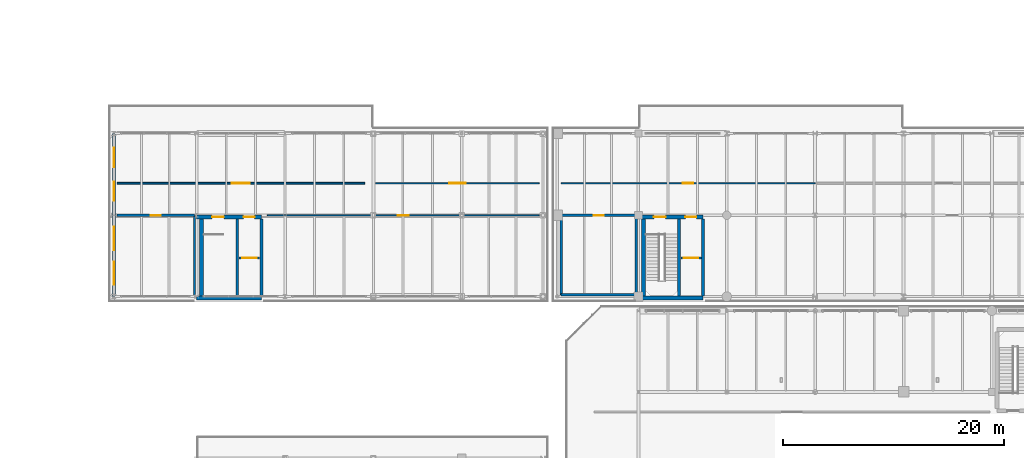
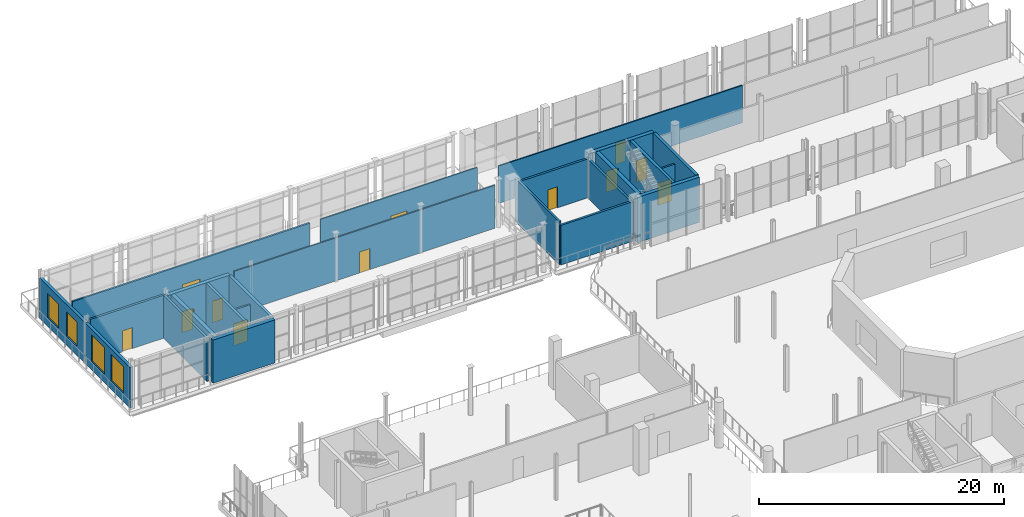
# One storey, part 72 of 93: 24 walls, 12 doors, 4 windows, 16 openings.
"""IFC4 building model written with IfcOpenShell, lengths in metres."""

from ifc_helpers import new_model, si_unit, direction, frame, frame_2d, origin, place, context, subcontext, project, spatial, rectangle, extrude, material, layer, layer_set, type_object, element, fill, save


model = new_model("IFC4")

# Units and contexts
model_context = context("Model", 3, precision=1e-05, world=origin(), true_north=direction((0.0, 1.0)))
body_context = subcontext(model_context, "Body", "Model", "MODEL_VIEW")
ifc_project = project(units=[si_unit("LENGTHUNIT", "METRE"), si_unit("AREAUNIT", "SQUARE_METRE"), si_unit("VOLUMEUNIT", "CUBIC_METRE"), si_unit("PLANEANGLEUNIT", "RADIAN"), si_unit("MASSUNIT", "GRAM", prefix="KILO")], contexts=[model_context])

# Site, building, storey
site_placement = place(None, origin())
site = spatial("IfcSite", under=ifc_project, at=site_placement, CompositionType="ELEMENT")
building_placement = place(site_placement, origin())
building = spatial("IfcBuilding", under=site, at=building_placement, Name="Brisemont Oceanarium", CompositionType="ELEMENT")
storey_placement = place(building_placement, frame((0.0, 0.0, 5.39990234375)))
storey = spatial("IfcBuildingStorey", under=building, at=storey_placement, Name="L01", CompositionType="ELEMENT", Elevation=5.39990234375)

# Wall, openings, windows
ifc_material_1 = material(Name="Beaux-Arts Limestone Cladding Precast Concrete C40/50", Category="masonry")
ifc_layer_1 = layer(ifc_material_1, 0.280029296875)
ifc_layer_set_1 = layer_set([ifc_layer_1], Name="Beaux-Arts Limestone Cladding Precast Concrete C40/50")
wall_type_1 = type_object("IfcWallType", Name="EW-LIME-280", PredefinedType="STANDARD", material=ifc_layer_set_1)
wall_1_placement = place(storey_placement, frame((16.5, 80.64990234375, 0.0), z_axis=(0.0, 0.0, 1.0), x_axis=(0.0, 1.0, 0.0)))
wall_1 = element("IfcWall", 1, at=wall_1_placement, inside=storey, type_object=wall_type_1, Name="Beaux-Arts exterior wall EW-V7W-W-L01-1", PredefinedType="STANDARD", context=body_context, shape_type="SweptSolid", body=[
    extrude(rectangle(XDim=7.35009765625, YDim=0.280029296875, at=frame_2d((3.675048828125, 0.0))), origin(), (0.0, 0.0, 1.0), 4.047119140625),
])
opening_1_placement = place(wall_1_placement, frame((1.050048828125, 0.0, 0.85009765625)))
opening_1 = element("IfcOpeningElement", 2, at=opening_1_placement, cuts=wall_1, Name="Opening WIN-17", PredefinedType="OPENING", context=body_context, shape_type="SweptSolid", body=[
    extrude(rectangle(XDim=2.10009765625, YDim=2.64990234375, at=frame_2d((1.050048828125, 1.324951171875))), frame((0.0, 0.14990234375, 0.0), z_axis=(0.0, -1.0, 0.0), x_axis=(1.0, 0.0, 0.0)), (0.0, 0.0, 1.0), 0.300048828125),
])
opening_2_placement = place(wall_1_placement, frame((4.199951171875, 0.0, 0.85009765625)))
opening_2 = element("IfcOpeningElement", 3, at=opening_2_placement, cuts=wall_1, Name="Opening WIN-17", PredefinedType="OPENING", context=body_context, shape_type="SweptSolid", body=[
    extrude(rectangle(XDim=2.10009765625, YDim=2.64990234375, at=frame_2d((1.050048828125, 1.324951171875))), frame((0.0, 0.14990234375, 0.0), z_axis=(0.0, -1.0, 0.0), x_axis=(1.0, 0.0, 0.0)), (0.0, 0.0, 1.0), 0.300048828125),
])
ifc_material_2 = material(Name="Insulated Low-E Laminated Glass", Category="glass")
window_type_1 = type_object("IfcWindowType", Name="WIN-BA-2100X2650", PartitioningType="SINGLE_PANEL", PredefinedType="WINDOW", material=ifc_material_2)
window_1_placement = place(opening_1_placement, origin())
window_1 = element("IfcWindow", 4, at=window_1_placement, inside=storey, type_object=window_type_1, Name="WIN-17 facade window 98", OverallHeight=2.64990234375, OverallWidth=2.10009765625, PartitioningType="SINGLE_PANEL", PredefinedType="WINDOW", context=body_context, shape_type="SweptSolid", body=[
    extrude(rectangle(XDim=2.10009765625, YDim=2.64990234375, at=frame_2d((1.050048828125, 1.324951171875))), frame((0.0, 0.030029296875, 0.0), z_axis=(0.0, -1.0, 0.0), x_axis=(1.0, 0.0, 0.0)), (0.0, 0.0, 1.0), 0.06005859375),
])
fill(opening_1, window_1)
window_2_placement = place(opening_2_placement, origin())
window_2 = element("IfcWindow", 5, at=window_2_placement, inside=storey, type_object=window_type_1, Name="WIN-17 facade window 99", OverallHeight=2.64990234375, OverallWidth=2.10009765625, PartitioningType="SINGLE_PANEL", PredefinedType="WINDOW", context=body_context, shape_type="SweptSolid", body=[
    extrude(rectangle(XDim=2.10009765625, YDim=2.64990234375, at=frame_2d((1.050048828125, 1.324951171875))), frame((0.0, 0.030029296875, 0.0), z_axis=(0.0, -1.0, 0.0), x_axis=(1.0, 0.0, 0.0)), (0.0, 0.0, 1.0), 0.06005859375),
])
fill(opening_2, window_2)

wall_2_placement = place(storey_placement, frame((16.5, 88.0, 0.0), z_axis=(0.0, 0.0, 1.0), x_axis=(0.0, 1.0, 0.0)))
wall_2 = element("IfcWall", 6, at=wall_2_placement, inside=storey, type_object=wall_type_1, Name="Beaux-Arts exterior wall EW-V7W-W-L01-2", PredefinedType="STANDARD", context=body_context, shape_type="SweptSolid", body=[
    extrude(rectangle(XDim=7.39990234375, YDim=0.280029296875, at=frame_2d((3.699951171875, 0.0))), origin(), (0.0, 0.0, 1.0), 4.047119140625),
])
opening_3_placement = place(wall_2_placement, frame((1.300048828125, 0.0, 0.89990234375)))
opening_3 = element("IfcOpeningElement", 7, at=opening_3_placement, cuts=wall_2, Name="Opening WIN-19", PredefinedType="OPENING", context=body_context, shape_type="SweptSolid", body=[
    extrude(rectangle(XDim=1.75, YDim=2.39990234375, at=frame_2d((0.875, 1.199951171875))), frame((0.0, 0.14990234375, 0.0), z_axis=(0.0, -1.0, 0.0), x_axis=(1.0, 0.0, 0.0)), (0.0, 0.0, 1.0), 0.300048828125),
])
opening_4_placement = place(wall_2_placement, frame((4.35009765625, 0.0, 0.89990234375)))
opening_4 = element("IfcOpeningElement", 8, at=opening_4_placement, cuts=wall_2, Name="Opening WIN-19", PredefinedType="OPENING", context=body_context, shape_type="SweptSolid", body=[
    extrude(rectangle(XDim=1.75, YDim=2.39990234375, at=frame_2d((0.875, 1.199951171875))), frame((0.0, 0.14990234375, 0.0), z_axis=(0.0, -1.0, 0.0), x_axis=(1.0, 0.0, 0.0)), (0.0, 0.0, 1.0), 0.300048828125),
])
ifc_material_3 = material(Name="Insulated Low-E Laminated Glass", Category="glass")
window_type_2 = type_object("IfcWindowType", Name="WIN-BA-1750X2400", PartitioningType="SINGLE_PANEL", PredefinedType="WINDOW", material=ifc_material_3)
window_3_placement = place(opening_3_placement, origin())
window_3 = element("IfcWindow", 9, at=window_3_placement, inside=storey, type_object=window_type_2, Name="WIN-19 facade window 100", OverallHeight=2.39990234375, OverallWidth=1.75, PartitioningType="SINGLE_PANEL", PredefinedType="WINDOW", context=body_context, shape_type="SweptSolid", body=[
    extrude(rectangle(XDim=1.75, YDim=2.39990234375, at=frame_2d((0.875, 1.199951171875))), frame((0.0, 0.030029296875, 0.0), z_axis=(0.0, -1.0, 0.0), x_axis=(1.0, 0.0, 0.0)), (0.0, 0.0, 1.0), 0.06005859375),
])
fill(opening_3, window_3)
window_4_placement = place(opening_4_placement, origin())
window_4 = element("IfcWindow", 10, at=window_4_placement, inside=storey, type_object=window_type_2, Name="WIN-19 facade window 101", OverallHeight=2.39990234375, OverallWidth=1.75, PartitioningType="SINGLE_PANEL", PredefinedType="WINDOW", context=body_context, shape_type="SweptSolid", body=[
    extrude(rectangle(XDim=1.75, YDim=2.39990234375, at=frame_2d((0.875, 1.199951171875))), frame((0.0, 0.030029296875, 0.0), z_axis=(0.0, -1.0, 0.0), x_axis=(1.0, 0.0, 0.0)), (0.0, 0.0, 1.0), 0.06005859375),
])
fill(opening_4, window_4)

# Wall, opening, door
ifc_material_4 = material(Name="Moisture-Resistant Gypsum Steel-Stud Partition", Category="steel")
ifc_layer_2 = layer(ifc_material_4, 0.159912109375)
ifc_layer_set_2 = layer_set([ifc_layer_2], Name="Moisture-Resistant Gypsum Steel-Stud Partition")
wall_type_2 = type_object("IfcWallType", Name="IW-FB-160", PredefinedType="PARTITIONING", material=ifc_layer_set_2)
wall_3_placement = place(storey_placement, frame((67.85009765625, 84.1298828125, 0.0), z_axis=(0.0, 0.0, 1.0), x_axis=(1.0, 0.0, 0.0)))
wall_3 = element("IfcWall", 11, at=wall_3_placement, inside=storey, type_object=wall_type_2, Name="Core C8 L01 lift hoistway front wall", PredefinedType="PARTITIONING", context=body_context, shape_type="SweptSolid", body=[
    extrude(rectangle(XDim=1.83984375, YDim=0.159912109375, at=frame_2d((0.919921875, 0.0))), origin(), (0.0, 0.0, 1.0), 3.60009765625),
])
opening_5_placement = place(wall_3_placement, frame((0.27001953125, 0.0, 0.0)))
opening_5 = element("IfcOpeningElement", 12, at=opening_5_placement, cuts=wall_3, Name="Opening LD-02", PredefinedType="OPENING", context=body_context, shape_type="SweptSolid", body=[
    extrude(rectangle(XDim=1.300048828125, YDim=2.199951171875, at=frame_2d((0.64990234375, 1.10009765625))), frame((0.0, 0.08984375, 0.0), z_axis=(0.0, -1.0, 0.0), x_axis=(1.0, 0.0, 0.0)), (0.0, 0.0, 1.0), 0.179931640625),
])
ifc_material_5 = material(Name="Duplex Stainless Steel EN 1.4462", Category="steel")
door_type_1 = type_object("IfcDoorType", Name="DR-LIFT-1300X2200", OperationType="NOTDEFINED", PredefinedType="DOOR", material=ifc_material_5)
door_1_placement = place(opening_5_placement, origin())
door_1 = element("IfcDoor", 13, at=door_1_placement, inside=storey, type_object=door_type_1, Name="Lift landing door L-08 L01", OperationType="SLIDING_TO_LEFT", OverallHeight=2.199951171875, OverallWidth=1.300048828125, PredefinedType="DOOR", context=body_context, shape_type="SweptSolid", body=[
    extrude(rectangle(XDim=1.300048828125, YDim=2.199951171875, at=frame_2d((0.64990234375, 1.10009765625))), frame((0.0, 0.02490234375, 0.0), z_axis=(0.0, -1.0, 0.0), x_axis=(1.0, 0.0, 0.0)), (0.0, 0.0, 1.0), 0.050048828125),
])
fill(opening_5, door_1)

wall_4_placement = place(storey_placement, frame((27.85009765625, 84.1298828125, 0.0), z_axis=(0.0, 0.0, 1.0), x_axis=(1.0, 0.0, 0.0)))
wall_4 = element("IfcWall", 14, at=wall_4_placement, inside=storey, type_object=wall_type_2, Name="Core C9 L01 lift hoistway front wall", PredefinedType="PARTITIONING", context=body_context, shape_type="SweptSolid", body=[
    extrude(rectangle(XDim=1.83984375, YDim=0.159912109375, at=frame_2d((0.919921875, 0.0))), origin(), (0.0, 0.0, 1.0), 3.60009765625),
])
opening_6_placement = place(wall_4_placement, frame((0.27001953125, 0.0, 0.0)))
opening_6 = element("IfcOpeningElement", 15, at=opening_6_placement, cuts=wall_4, Name="Opening LD-02", PredefinedType="OPENING", context=body_context, shape_type="SweptSolid", body=[
    extrude(rectangle(XDim=1.300048828125, YDim=2.199951171875, at=frame_2d((0.64990234375, 1.10009765625))), frame((0.0, 0.08984375, 0.0), z_axis=(0.0, -1.0, 0.0), x_axis=(1.0, 0.0, 0.0)), (0.0, 0.0, 1.0), 0.179931640625),
])
door_2_placement = place(opening_6_placement, origin())
door_2 = element("IfcDoor", 16, at=door_2_placement, inside=storey, type_object=door_type_1, Name="Lift landing door L-09 L01", OperationType="SLIDING_TO_LEFT", OverallHeight=2.199951171875, OverallWidth=1.300048828125, PredefinedType="DOOR", context=body_context, shape_type="SweptSolid", body=[
    extrude(rectangle(XDim=1.300048828125, YDim=2.199951171875, at=frame_2d((0.64990234375, 1.10009765625))), frame((0.0, 0.02490234375, 0.0), z_axis=(0.0, -1.0, 0.0), x_axis=(1.0, 0.0, 0.0)), (0.0, 0.0, 1.0), 0.050048828125),
])
fill(opening_6, door_2)

wall_5_placement = place(storey_placement, frame((16.800048828125, 90.89990234375, 0.0), z_axis=(0.0, 0.0, 1.0), x_axis=(1.0, 0.0, 0.0)))
wall_5 = element("IfcWall", 17, at=wall_5_placement, inside=storey, type_object=wall_type_2, Name="Quarantine Elasmobranch Holding Tank Room corridor partition", PredefinedType="PARTITIONING", context=body_context, shape_type="SweptSolid", body=[
    extrude(rectangle(XDim=22.39990234375, YDim=0.159912109375, at=frame_2d((11.199951171875, 0.0))), origin(), (0.0, 0.0, 1.0), 4.2900390625),
])
opening_7_placement = place(wall_5_placement, frame((10.375, 0.0, 0.0)))
opening_7 = element("IfcOpeningElement", 18, at=opening_7_placement, cuts=wall_5, Name="Opening GD-02", PredefinedType="OPENING", context=body_context, shape_type="SweptSolid", body=[
    extrude(rectangle(XDim=1.64990234375, YDim=2.35009765625, at=frame_2d((0.824951171875, 1.175048828125))), frame((0.0, 0.08984375, 0.0), z_axis=(0.0, -1.0, 0.0), x_axis=(1.0, 0.0, 0.0)), (0.0, 0.0, 1.0), 0.179931640625),
])
ifc_material_6 = material(Name="Patinated Architectural Bronze C38500")
door_type_2 = type_object("IfcDoorType", Name="DR-GAL-1650X2350", OperationType="NOTDEFINED", PredefinedType="DOOR", material=ifc_material_6)
door_3_placement = place(opening_7_placement, origin())
door_3 = element("IfcDoor", 19, at=door_3_placement, inside=storey, type_object=door_type_2, Name="GD-02 door to Quarantine Elasmobranch Holding Tank Room", OperationType="SINGLE_SWING_LEFT", OverallHeight=2.35009765625, OverallWidth=1.64990234375, PredefinedType="DOOR", context=body_context, shape_type="SweptSolid", body=[
    extrude(rectangle(XDim=1.64990234375, YDim=2.35009765625, at=frame_2d((0.824951171875, 1.175048828125))), frame((0.0, 0.02490234375, 0.0), z_axis=(0.0, -1.0, 0.0), x_axis=(1.0, 0.0, 0.0)), (0.0, 0.0, 1.0), 0.050048828125),
])
fill(opening_7, door_3)

ifc_material_7 = material(Name="Moisture-Resistant Gypsum Steel-Stud Partition", Category="steel")
ifc_layer_3 = layer(ifc_material_7, 0.1201171875)
ifc_layer_set_3 = layer_set([ifc_layer_3], Name="Moisture-Resistant Gypsum Steel-Stud Partition")
wall_type_3 = type_object("IfcWallType", Name="IW-PART-120", PredefinedType="PARTITIONING", material=ifc_layer_set_3)
wall_6_placement = place(storey_placement, frame((30.39990234375, 88.0, 0.0), z_axis=(0.0, 0.0, 1.0), x_axis=(1.0, 0.0, 0.0)))
wall_6 = element("IfcWall", 20, at=wall_6_placement, inside=storey, type_object=wall_type_3, Name="Quarantine Fish Acclimation Pool Hall corridor partition", PredefinedType="PARTITIONING", context=body_context, shape_type="SweptSolid", body=[
    extrude(rectangle(XDim=24.60009765625, YDim=0.1201171875, at=frame_2d((12.300048828125, 0.0))), origin(), (0.0, 0.0, 1.0), 4.2900390625),
])
opening_8_placement = place(wall_6_placement, frame((11.820068359375, 0.0, 0.0)))
opening_8 = element("IfcOpeningElement", 21, at=opening_8_placement, cuts=wall_6, Name="Opening D-02", PredefinedType="OPENING", context=body_context, shape_type="SweptSolid", body=[
    extrude(rectangle(XDim=0.9599609375, YDim=2.10009765625, at=frame_2d((0.47998046875, 1.050048828125))), frame((0.0, 0.070068359375, 0.0), z_axis=(0.0, -1.0, 0.0), x_axis=(1.0, 0.0, 0.0)), (0.0, 0.0, 1.0), 0.14013671875),
])
ifc_material_8 = material(Name="FSC White Oak Solid-Core Fire Door")
door_type_3 = type_object("IfcDoorType", Name="DR-RM-960X2100", OperationType="NOTDEFINED", PredefinedType="DOOR", material=ifc_material_8)
door_4_placement = place(opening_8_placement, origin())
door_4 = element("IfcDoor", 22, at=door_4_placement, inside=storey, type_object=door_type_3, Name="D-02 door to Quarantine Fish Acclimation Pool Hall", OperationType="SINGLE_SWING_LEFT", OverallHeight=2.10009765625, OverallWidth=0.9599609375, PredefinedType="DOOR", context=body_context, shape_type="SweptSolid", body=[
    extrude(rectangle(XDim=0.9599609375, YDim=2.10009765625, at=frame_2d((0.47998046875, 1.050048828125))), frame((0.0, 0.02490234375, 0.0), z_axis=(0.0, -1.0, 0.0), x_axis=(1.0, 0.0, 0.0)), (0.0, 0.0, 1.0), 0.050048828125),
])
fill(opening_8, door_4)

wall_7_placement = place(storey_placement, frame((40.199951171875, 90.89990234375, 0.0), z_axis=(0.0, 0.0, 1.0), x_axis=(1.0, 0.0, 0.0)))
wall_7 = element("IfcWall", 23, at=wall_7_placement, inside=storey, type_object=wall_type_3, Name="Quarantine Water Testing Lab corridor partition", PredefinedType="PARTITIONING", context=body_context, shape_type="SweptSolid", body=[
    extrude(rectangle(XDim=14.800048828125, YDim=0.1201171875, at=frame_2d((7.39990234375, 0.0))), origin(), (0.0, 0.0, 1.0), 4.2900390625),
])
opening_9_placement = place(wall_7_placement, frame((6.64990234375, 0.0, 0.0)))
opening_9 = element("IfcOpeningElement", 24, at=opening_9_placement, cuts=wall_7, Name="Opening GD-03", PredefinedType="OPENING", context=body_context, shape_type="SweptSolid", body=[
    extrude(rectangle(XDim=1.5, YDim=2.300048828125, at=frame_2d((0.75, 1.14990234375))), frame((0.0, 0.070068359375, 0.0), z_axis=(0.0, -1.0, 0.0), x_axis=(1.0, 0.0, 0.0)), (0.0, 0.0, 1.0), 0.14013671875),
])
ifc_material_9 = material(Name="Patinated Architectural Bronze C38500")
door_type_4 = type_object("IfcDoorType", Name="DR-GAL-1500X2300", OperationType="NOTDEFINED", PredefinedType="DOOR", material=ifc_material_9)
door_5_placement = place(opening_9_placement, origin())
door_5 = element("IfcDoor", 25, at=door_5_placement, inside=storey, type_object=door_type_4, Name="GD-03 door to Quarantine Water Testing Lab", OperationType="SINGLE_SWING_RIGHT", OverallHeight=2.300048828125, OverallWidth=1.5, PredefinedType="DOOR", context=body_context, shape_type="SweptSolid", body=[
    extrude(rectangle(XDim=1.5, YDim=2.300048828125, at=frame_2d((0.75, 1.14990234375))), frame((0.0, 0.02490234375, 0.0), z_axis=(0.0, -1.0, 0.0), x_axis=(1.0, 0.0, 0.0)), (0.0, 0.0, 1.0), 0.050048828125),
])
fill(opening_9, door_5)

wall_8_placement = place(storey_placement, frame((57.0, 90.89990234375, 0.0), z_axis=(0.0, 0.0, 1.0), x_axis=(1.0, 0.0, 0.0)))
wall_8 = element("IfcWall", 26, at=wall_8_placement, inside=storey, type_object=wall_type_3, Name="Life Support Deaeration Tower Plant corridor partition", PredefinedType="PARTITIONING", context=body_context, shape_type="SweptSolid", body=[
    extrude(rectangle(XDim=23.0, YDim=0.1201171875, at=frame_2d((11.5, 0.0))), origin(), (0.0, 0.0, 1.0), 3.718017578125),
])
opening_10_placement = place(wall_8_placement, frame((11.02001953125, 0.0, 0.0)))
opening_10 = element("IfcOpeningElement", 27, at=opening_10_placement, cuts=wall_8, Name="Opening D-02", PredefinedType="OPENING", context=body_context, shape_type="SweptSolid", body=[
    extrude(rectangle(XDim=0.9599609375, YDim=2.10009765625, at=frame_2d((0.47998046875, 1.050048828125))), frame((0.0, 0.070068359375, 0.0), z_axis=(0.0, -1.0, 0.0), x_axis=(1.0, 0.0, 0.0)), (0.0, 0.0, 1.0), 0.14013671875),
])
door_6_placement = place(opening_10_placement, origin())
door_6 = element("IfcDoor", 28, at=door_6_placement, inside=storey, type_object=door_type_3, Name="D-02 door to Life Support Deaeration Tower Plant", OperationType="SINGLE_SWING_LEFT", OverallHeight=2.10009765625, OverallWidth=0.9599609375, PredefinedType="DOOR", context=body_context, shape_type="SweptSolid", body=[
    extrude(rectangle(XDim=0.9599609375, YDim=2.10009765625, at=frame_2d((0.47998046875, 1.050048828125))), frame((0.0, 0.02490234375, 0.0), z_axis=(0.0, -1.0, 0.0), x_axis=(1.0, 0.0, 0.0)), (0.0, 0.0, 1.0), 0.050048828125),
])
fill(opening_10, door_6)

ifc_material_10 = material(Name="Cementitious Tile-Backer Plumbing Wall")
ifc_layer_4 = layer(ifc_material_10, 0.199951171875)
ifc_layer_set_4 = layer_set([ifc_layer_4], Name="Cementitious Tile-Backer Plumbing Wall")
wall_type_4 = type_object("IfcWallType", Name="IW-PLUMB-200", PredefinedType="PLUMBINGWALL", material=ifc_layer_set_4)
wall_9_placement = place(storey_placement, frame((16.800048828125, 88.0, 0.0), z_axis=(0.0, 0.0, 1.0), x_axis=(1.0, 0.0, 0.0)))
wall_9 = element("IfcWall", 29, at=wall_9_placement, inside=storey, type_object=wall_type_4, Name="Staff Restroom corridor partition", PredefinedType="PLUMBINGWALL", context=body_context, shape_type="SweptSolid", body=[
    extrude(rectangle(XDim=7.0, YDim=0.199951171875, at=frame_2d((3.5, 0.0))), origin(), (0.0, 0.0, 1.0), 4.2900390625),
])
opening_11_placement = place(wall_9_placement, frame((3.044921875, 0.0, 0.0)))
opening_11 = element("IfcOpeningElement", 30, at=opening_11_placement, cuts=wall_9, Name="Opening D-03", PredefinedType="OPENING", context=body_context, shape_type="SweptSolid", body=[
    extrude(rectangle(XDim=0.909912109375, YDim=2.10009765625, at=frame_2d((0.455078125, 1.050048828125))), frame((0.0, 0.10986328125, 0.0), z_axis=(0.0, -1.0, 0.0), x_axis=(1.0, 0.0, 0.0)), (0.0, 0.0, 1.0), 0.219970703125),
])
ifc_material_11 = material(Name="FSC White Oak Solid-Core Fire Door")
door_type_5 = type_object("IfcDoorType", Name="DR-WC-910X2100", OperationType="NOTDEFINED", PredefinedType="DOOR", material=ifc_material_11)
door_7_placement = place(opening_11_placement, origin())
door_7 = element("IfcDoor", 31, at=door_7_placement, inside=storey, type_object=door_type_5, Name="D-03 door to Staff Restroom", OperationType="SINGLE_SWING_RIGHT", OverallHeight=2.10009765625, OverallWidth=0.909912109375, PredefinedType="DOOR", context=body_context, shape_type="SweptSolid", body=[
    extrude(rectangle(XDim=0.909912109375, YDim=2.10009765625, at=frame_2d((0.455078125, 1.050048828125))), frame((0.0, 0.02490234375, 0.0), z_axis=(0.0, -1.0, 0.0), x_axis=(1.0, 0.0, 0.0)), (0.0, 0.0, 1.0), 0.050048828125),
])
fill(opening_11, door_7)

# Wall
wall_10_placement = place(storey_placement, frame((23.800048828125, 80.800048828125, 0.0), z_axis=(0.0, 0.0, 1.0), x_axis=(0.0, 1.0, 0.0)))
element("IfcWall", 32, at=wall_10_placement, inside=storey, type_object=wall_type_4, Name="Staff Restroom enclosure wall E", PredefinedType="PLUMBINGWALL", context=body_context, shape_type="SweptSolid", body=[
    extrude(rectangle(XDim=7.199951171875, YDim=0.199951171875, at=frame_2d((3.60009765625, 0.0))), origin(), (0.0, 0.0, 1.0), 4.2900390625),
])

# Wall, opening, door
wall_11_placement = place(storey_placement, frame((57.0, 88.0, 0.0), z_axis=(0.0, 0.0, 1.0), x_axis=(1.0, 0.0, 0.0)))
wall_11 = element("IfcWall", 33, at=wall_11_placement, inside=storey, type_object=wall_type_4, Name="Staff Restroom corridor partition", PredefinedType="PLUMBINGWALL", context=body_context, shape_type="SweptSolid", body=[
    extrude(rectangle(XDim=6.800048828125, YDim=0.199951171875, at=frame_2d((3.39990234375, 0.0))), origin(), (0.0, 0.0, 1.0), 3.8681640625),
])
opening_12_placement = place(wall_11_placement, frame((2.945068359375, 0.0, 0.0)))
opening_12 = element("IfcOpeningElement", 34, at=opening_12_placement, cuts=wall_11, Name="Opening D-03", PredefinedType="OPENING", context=body_context, shape_type="SweptSolid", body=[
    extrude(rectangle(XDim=0.909912109375, YDim=2.10009765625, at=frame_2d((0.455078125, 1.050048828125))), frame((0.0, 0.10986328125, 0.0), z_axis=(0.0, -1.0, 0.0), x_axis=(1.0, 0.0, 0.0)), (0.0, 0.0, 1.0), 0.219970703125),
])
door_8_placement = place(opening_12_placement, origin())
door_8 = element("IfcDoor", 35, at=door_8_placement, inside=storey, type_object=door_type_5, Name="D-03 door to Staff Restroom", OperationType="SINGLE_SWING_LEFT", OverallHeight=2.10009765625, OverallWidth=0.909912109375, PredefinedType="DOOR", context=body_context, shape_type="SweptSolid", body=[
    extrude(rectangle(XDim=0.909912109375, YDim=2.10009765625, at=frame_2d((0.455078125, 1.050048828125))), frame((0.0, 0.02490234375, 0.0), z_axis=(0.0, -1.0, 0.0), x_axis=(1.0, 0.0, 0.0)), (0.0, 0.0, 1.0), 0.050048828125),
])
fill(opening_12, door_8)

# Walls
wall_12_placement = place(storey_placement, frame((57.0, 80.800048828125, 0.0), z_axis=(0.0, 0.0, 1.0), x_axis=(1.0, 0.0, 0.0)))
element("IfcWall", 36, at=wall_12_placement, inside=storey, type_object=wall_type_4, Name="Staff Restroom enclosure wall S", PredefinedType="PLUMBINGWALL", context=body_context, shape_type="SweptSolid", body=[
    extrude(rectangle(XDim=6.800048828125, YDim=0.199951171875, at=frame_2d((3.39990234375, 0.0))), origin(), (0.0, 0.0, 1.0), 3.9521484375),
])
wall_13_placement = place(storey_placement, frame((57.0, 80.800048828125, 0.0), z_axis=(0.0, 0.0, 1.0), x_axis=(0.0, 1.0, 0.0)))
element("IfcWall", 37, at=wall_13_placement, inside=storey, type_object=wall_type_4, Name="Staff Restroom enclosure wall W", PredefinedType="PLUMBINGWALL", context=body_context, shape_type="SweptSolid", body=[
    extrude(rectangle(XDim=7.199951171875, YDim=0.199951171875, at=frame_2d((3.60009765625, 0.0))), origin(), (0.0, 0.0, 1.0), 4.2900390625),
])
wall_14_placement = place(storey_placement, frame((63.800048828125, 80.800048828125, 0.0), z_axis=(0.0, 0.0, 1.0), x_axis=(0.0, 1.0, 0.0)))
element("IfcWall", 38, at=wall_14_placement, inside=storey, type_object=wall_type_4, Name="Staff Restroom enclosure wall E", PredefinedType="PLUMBINGWALL", context=body_context, shape_type="SweptSolid", body=[
    extrude(rectangle(XDim=7.199951171875, YDim=0.199951171875, at=frame_2d((3.60009765625, 0.0))), origin(), (0.0, 0.0, 1.0), 3.878173828125),
])
ifc_material_12 = material(Name="Concrete C40/50", Category="concrete")
ifc_layer_5 = layer(ifc_material_12, 0.260009765625)
ifc_layer_set_5 = layer_set([ifc_layer_5], Name="Concrete C40/50")
wall_type_5 = type_object("IfcWallType", Name="SW-SHAFT-260", PredefinedType="SHEAR", material=ifc_layer_set_5)
for number, where, z_axis, x_axis, name in (
    (39, (69.85009765625, 80.699951171875, 0.0), (0.0, 0.0, 1.0), (0.0, 1.0, 0.0), "Core C8 L01 E RC shear wall"),
    (40, (67.669921875, 80.699951171875, 0.0), (0.0, 0.0, 1.0), (0.0, 1.0, 0.0), "Core C8 L01 MID RC shear wall"),
):
    element("IfcWall", number, at=place(storey_placement, frame(where, z_axis=z_axis, x_axis=x_axis)), inside=storey, type_object=wall_type_5, Name=name, PredefinedType="SHEAR", context=body_context, shape_type="SweptSolid", body=[
        extrude(rectangle(XDim=6.949951171875, YDim=0.260009765625, at=frame_2d((3.47509765625, 0.0))), origin(), (0.0, 0.0, 1.0), 4.510009765625),
    ])
for number, where, z_axis, x_axis, name in (
    (41, (29.85009765625, 80.699951171875, 0.0), (0.0, 0.0, 1.0), (0.0, 1.0, 0.0), "Core C9 L01 E RC shear wall"),
    (42, (27.669921875, 80.699951171875, 0.0), (0.0, 0.0, 1.0), (0.0, 1.0, 0.0), "Core C9 L01 MID RC shear wall"),
):
    element("IfcWall", number, at=place(storey_placement, frame(where, z_axis=z_axis, x_axis=x_axis)), inside=storey, type_object=wall_type_5, Name=name, PredefinedType="SHEAR", context=body_context, shape_type="SweptSolid", body=[
        extrude(rectangle(XDim=6.949951171875, YDim=0.260009765625, at=frame_2d((3.47509765625, 0.0))), origin(), (0.0, 0.0, 1.0), 4.300048828125),
    ])

# Wall, openings, doors
ifc_material_13 = material(Name="Concrete C40/50", Category="concrete")
ifc_layer_6 = layer(ifc_material_13, 0.35009765625)
ifc_layer_set_6 = layer_set([ifc_layer_6], Name="Concrete C40/50")
wall_type_6 = type_object("IfcWallType", Name="SW-STAIR-350", PredefinedType="SHEAR", material=ifc_layer_set_6)
wall_15_placement = place(storey_placement, frame((64.0, 87.85009765625, 0.0), z_axis=(0.0, 0.0, 1.0), x_axis=(1.0, 0.0, 0.0)))
wall_15 = element("IfcWall", 43, at=wall_15_placement, inside=storey, type_object=wall_type_6, Name="Core C8 L01 corridor RC shear wall", PredefinedType="SHEAR", context=body_context, shape_type="SweptSolid", body=[
    extrude(rectangle(XDim=5.85009765625, YDim=0.35009765625, at=frame_2d((2.925048828125, 0.0))), origin(), (0.0, 0.0, 1.0), 4.510009765625),
])
opening_13_placement = place(wall_15_placement, frame((1.39990234375, 0.0, 0.0)))
opening_13 = element("IfcOpeningElement", 44, at=opening_13_placement, cuts=wall_15, Name="Opening SD-02", PredefinedType="OPENING", context=body_context, shape_type="SweptSolid", body=[
    extrude(rectangle(XDim=1.050048828125, YDim=2.10009765625, at=frame_2d((0.52490234375, 1.050048828125))), frame((0.0, 0.18505859375, 0.0), z_axis=(0.0, -1.0, 0.0), x_axis=(1.0, 0.0, 0.0)), (0.0, 0.0, 1.0), 0.3701171875),
])
opening_14_placement = place(wall_15_placement, frame((4.25, 0.0, 0.0)))
opening_14 = element("IfcOpeningElement", 45, at=opening_14_placement, cuts=wall_15, Name="Opening FD90-2", PredefinedType="OPENING", context=body_context, shape_type="SweptSolid", body=[
    extrude(rectangle(XDim=1.0, YDim=2.14990234375, at=frame_2d((0.5, 1.074951171875))), frame((0.0, 0.18505859375, 0.0), z_axis=(0.0, -1.0, 0.0), x_axis=(1.0, 0.0, 0.0)), (0.0, 0.0, 1.0), 0.3701171875),
])
ifc_material_14 = material(Name="FSC White Oak Solid-Core Fire Door")
door_type_6 = type_object("IfcDoorType", Name="DR-LOB-1000X2150", OperationType="NOTDEFINED", PredefinedType="DOOR", material=ifc_material_14)
door_9_placement = place(opening_14_placement, origin())
door_9 = element("IfcDoor", 46, at=door_9_placement, inside=storey, type_object=door_type_6, Name="Lift lobby door C8 L01", OperationType="SINGLE_SWING_RIGHT", OverallHeight=2.14990234375, OverallWidth=1.0, PredefinedType="DOOR", context=body_context, shape_type="SweptSolid", body=[
    extrude(rectangle(XDim=1.0, YDim=2.14990234375, at=frame_2d((0.5, 1.074951171875))), frame((0.0, 0.02490234375, 0.0), z_axis=(0.0, -1.0, 0.0), x_axis=(1.0, 0.0, 0.0)), (0.0, 0.0, 1.0), 0.050048828125),
])
fill(opening_14, door_9)
ifc_material_15 = material(Name="Duplex Stainless Steel EN 1.4462", Category="steel")
door_type_7 = type_object("IfcDoorType", Name="DR-STAIR-1050X2100", OperationType="NOTDEFINED", PredefinedType="DOOR", material=ifc_material_15)
door_10_placement = place(opening_13_placement, origin())
door_10 = element("IfcDoor", 47, at=door_10_placement, inside=storey, type_object=door_type_7, Name="Exit stair door ST-08 L01", OperationType="SINGLE_SWING_LEFT", OverallHeight=2.10009765625, OverallWidth=1.050048828125, PredefinedType="DOOR", context=body_context, shape_type="SweptSolid", body=[
    extrude(rectangle(XDim=1.050048828125, YDim=2.10009765625, at=frame_2d((0.52490234375, 1.050048828125))), frame((0.0, 0.02490234375, 0.0), z_axis=(0.0, -1.0, 0.0), x_axis=(1.0, 0.0, 0.0)), (0.0, 0.0, 1.0), 0.050048828125),
])
fill(opening_13, door_10)

# Walls
wall_16_placement = place(storey_placement, frame((64.0, 80.5, 0.0), z_axis=(0.0, 0.0, 1.0), x_axis=(1.0, 0.0, 0.0)))
element("IfcWall", 48, at=wall_16_placement, inside=storey, type_object=wall_type_6, Name="Core C8 L01 BCK RC shear wall", PredefinedType="SHEAR", context=body_context, shape_type="SweptSolid", body=[
    extrude(rectangle(XDim=5.85009765625, YDim=0.35009765625, at=frame_2d((2.925048828125, 0.0))), origin(), (0.0, 0.0, 1.0), 4.510009765625),
])
wall_17_placement = place(storey_placement, frame((64.449951171875, 80.699951171875, 0.0), z_axis=(0.0, 0.0, 1.0), x_axis=(0.0, 1.0, 0.0)))
element("IfcWall", 49, at=wall_17_placement, inside=storey, type_object=wall_type_6, Name="Core C8 L01 W RC shear wall", PredefinedType="SHEAR", context=body_context, shape_type="SweptSolid", body=[
    extrude(rectangle(XDim=6.949951171875, YDim=0.35009765625, at=frame_2d((3.47509765625, 0.0))), origin(), (0.0, 0.0, 1.0), 4.510009765625),
])

# Wall, openings, doors
wall_18_placement = place(storey_placement, frame((24.0, 87.85009765625, 0.0), z_axis=(0.0, 0.0, 1.0), x_axis=(1.0, 0.0, 0.0)))
wall_18 = element("IfcWall", 50, at=wall_18_placement, inside=storey, type_object=wall_type_6, Name="Core C9 L01 corridor RC shear wall", PredefinedType="SHEAR", context=body_context, shape_type="SweptSolid", body=[
    extrude(rectangle(XDim=5.85009765625, YDim=0.35009765625, at=frame_2d((2.925048828125, 0.0))), origin(), (0.0, 0.0, 1.0), 4.300048828125),
])
opening_15_placement = place(wall_18_placement, frame((1.39990234375, 0.0, 0.0)))
opening_15 = element("IfcOpeningElement", 51, at=opening_15_placement, cuts=wall_18, Name="Opening SD-02", PredefinedType="OPENING", context=body_context, shape_type="SweptSolid", body=[
    extrude(rectangle(XDim=1.050048828125, YDim=2.10009765625, at=frame_2d((0.52490234375, 1.050048828125))), frame((0.0, 0.18505859375, 0.0), z_axis=(0.0, -1.0, 0.0), x_axis=(1.0, 0.0, 0.0)), (0.0, 0.0, 1.0), 0.3701171875),
])
opening_16_placement = place(wall_18_placement, frame((4.25, 0.0, 0.0)))
opening_16 = element("IfcOpeningElement", 52, at=opening_16_placement, cuts=wall_18, Name="Opening FD90-2", PredefinedType="OPENING", context=body_context, shape_type="SweptSolid", body=[
    extrude(rectangle(XDim=1.0, YDim=2.14990234375, at=frame_2d((0.5, 1.074951171875))), frame((0.0, 0.18505859375, 0.0), z_axis=(0.0, -1.0, 0.0), x_axis=(1.0, 0.0, 0.0)), (0.0, 0.0, 1.0), 0.3701171875),
])
door_11_placement = place(opening_16_placement, origin())
door_11 = element("IfcDoor", 53, at=door_11_placement, inside=storey, type_object=door_type_6, Name="Lift lobby door C9 L01", OperationType="SINGLE_SWING_RIGHT", OverallHeight=2.14990234375, OverallWidth=1.0, PredefinedType="DOOR", context=body_context, shape_type="SweptSolid", body=[
    extrude(rectangle(XDim=1.0, YDim=2.14990234375, at=frame_2d((0.5, 1.074951171875))), frame((0.0, 0.02490234375, 0.0), z_axis=(0.0, -1.0, 0.0), x_axis=(1.0, 0.0, 0.0)), (0.0, 0.0, 1.0), 0.050048828125),
])
fill(opening_16, door_11)
door_12_placement = place(opening_15_placement, origin())
door_12 = element("IfcDoor", 54, at=door_12_placement, inside=storey, type_object=door_type_7, Name="Exit stair door ST-09 L01", OperationType="SINGLE_SWING_LEFT", OverallHeight=2.10009765625, OverallWidth=1.050048828125, PredefinedType="DOOR", context=body_context, shape_type="SweptSolid", body=[
    extrude(rectangle(XDim=1.050048828125, YDim=2.10009765625, at=frame_2d((0.52490234375, 1.050048828125))), frame((0.0, 0.02490234375, 0.0), z_axis=(0.0, -1.0, 0.0), x_axis=(1.0, 0.0, 0.0)), (0.0, 0.0, 1.0), 0.050048828125),
])
fill(opening_15, door_12)

# Walls
wall_19_placement = place(storey_placement, frame((24.0, 80.5, 0.0), z_axis=(0.0, 0.0, 1.0), x_axis=(1.0, 0.0, 0.0)))
element("IfcWall", 55, at=wall_19_placement, inside=storey, type_object=wall_type_6, Name="Core C9 L01 BCK RC shear wall", PredefinedType="SHEAR", context=body_context, shape_type="SweptSolid", body=[
    extrude(rectangle(XDim=5.85009765625, YDim=0.35009765625, at=frame_2d((2.925048828125, 0.0))), origin(), (0.0, 0.0, 1.0), 4.300048828125),
])
wall_20_placement = place(storey_placement, frame((24.449951171875, 80.699951171875, 0.0), z_axis=(0.0, 0.0, 1.0), x_axis=(0.0, 1.0, 0.0)))
element("IfcWall", 56, at=wall_20_placement, inside=storey, type_object=wall_type_6, Name="Core C9 L01 W RC shear wall", PredefinedType="SHEAR", context=body_context, shape_type="SweptSolid", body=[
    extrude(rectangle(XDim=6.949951171875, YDim=0.35009765625, at=frame_2d((3.47509765625, 0.0))), origin(), (0.0, 0.0, 1.0), 4.300048828125),
])

save(model, "model.ifc")
